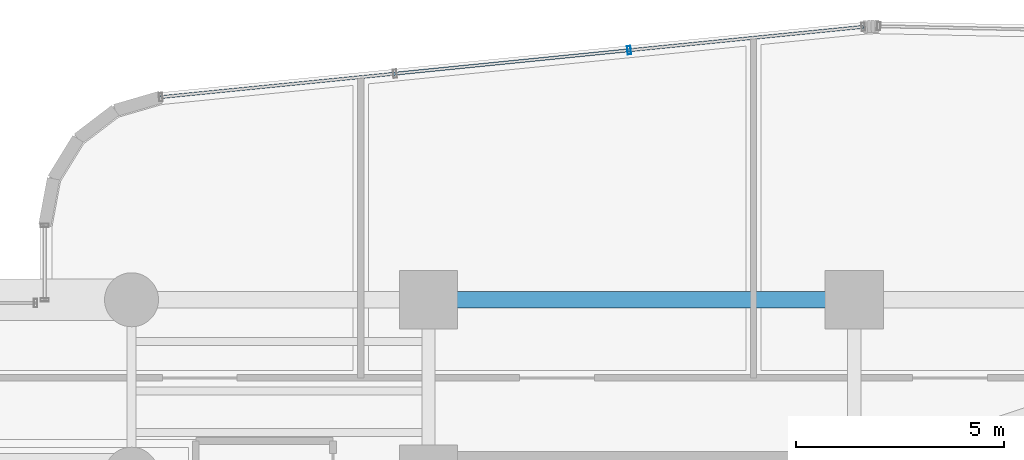
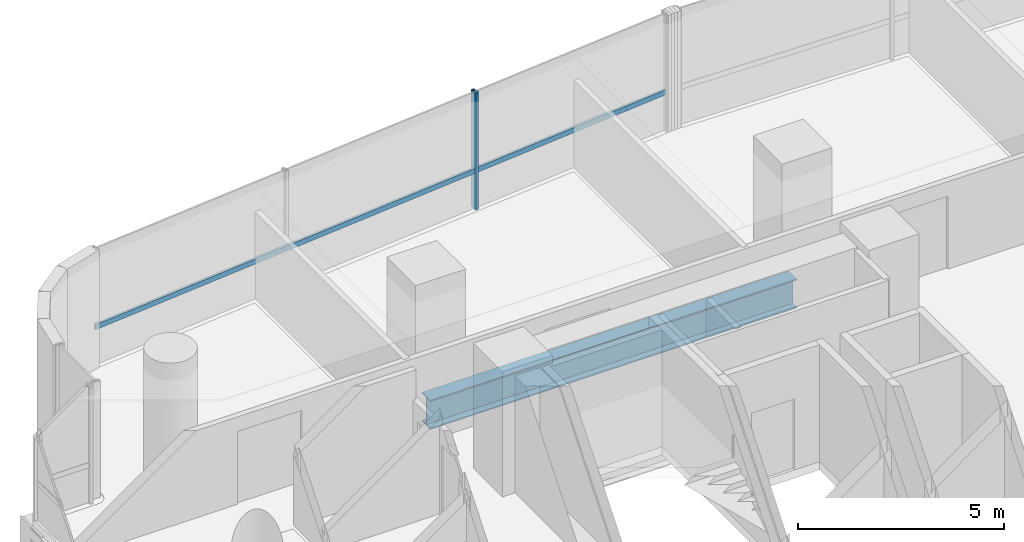
# One storey, part 20 of 40: 2 members, 1 beam, 1 element without a shape of its own.
"""IFC4 building model written with IfcOpenShell, lengths in metres."""

from ifc_helpers import new_model, si_unit, direction, frame, origin, origin_2d, place, context, subcontext, project, spatial, hollow_rectangle, i_section, extrude, source, transform, mapped, material, material_profile, profile_set, type_object, element, aggregate, save


model = new_model("IFC4")

# Units and contexts
model_context = context("Model", 3, precision=1e-05, world=origin(), true_north=direction((0.0, 1.0)))
body_context = subcontext(model_context, "Body", "Model", "MODEL_VIEW")
ifc_project = project(units=[si_unit("LENGTHUNIT", "METRE"), si_unit("AREAUNIT", "SQUARE_METRE"), si_unit("VOLUMEUNIT", "CUBIC_METRE"), si_unit("PLANEANGLEUNIT", "RADIAN"), si_unit("MASSUNIT", "GRAM", prefix="KILO")], contexts=[model_context])

# Site, building, storey
site_placement = place(None, origin())
site = spatial("IfcSite", under=ifc_project, at=site_placement, CompositionType="ELEMENT")
building_placement = place(site_placement, origin())
building = spatial("IfcBuilding", under=site, at=building_placement, Name="Valdorenza Pilgrim Sanctuary Tower", CompositionType="ELEMENT")
storey_placement = place(building_placement, frame((0.0, 0.0, 81.5)))
storey = spatial("IfcBuildingStorey", under=building, at=storey_placement, Name="L20", CompositionType="ELEMENT", Elevation=81.5)

# Beam
ifc_material_1 = material(Name="Steel ASTM A992 Grade 50", Category="steel")
ifc_material_profile_1 = material_profile(ifc_material_1, i_section(OverallWidth=0.39990234375, OverallDepth=0.862060546875, WebThickness=0.019775390625, FlangeThickness=0.032470703125, at=origin_2d()), Name="W33X221")
ifc_profile_set_1 = profile_set([ifc_material_profile_1], Name="Steel ASTM A992 Grade 50")
beam_type = type_object("IfcBeamType", Name="STR-BM-GRD-W33", PredefinedType="BEAM", material=ifc_profile_set_1)
shared_shape_1 = source(origin(), body_context, "Body", "SweptSolid", [
    extrude(i_section(OverallWidth=0.39990234375, OverallDepth=0.862060546875, WebThickness=0.019775390625, FlangeThickness=0.032470703125, at=origin_2d()), origin(), (0.0, 0.0, 1.0), 10.25),
])
beam_placement = place(storey_placement, frame((-22.64990234375, 14.800048828125, -0.6708984375), z_axis=(1.0, 0.0, 0.0), x_axis=(0.0, 1.0, 0.0)))
element("IfcBeam", 1, at=beam_placement, inside=storey, type_object=beam_type, Name="L20 Floor Girder CA-XC-N2", PredefinedType="BEAM", context=body_context, shape_type="MappedRepresentation", body=[
    mapped(shared_shape_1, transform((0.0, 0.0, 0.0), x_axis=(1.0, 0.0, 0.0), y_axis=(0.0, 1.0, 0.0), z_axis=(0.0, 0.0, 1.0), scale=1.0)),
])

# Curtain wall, members
ifc_material_2 = material(Name="Curtain-wall IGU glazing", Category="glass")
curtain_wall_type = type_object("IfcCurtainWallType", Name="CW-SYS-02", PredefinedType="NOTDEFINED", material=ifc_material_2)
curtain_wall_placement = place(storey_placement, origin())
curtain_wall = element("IfcCurtainWall", 2, at=curtain_wall_placement, inside=storey, type_object=curtain_wall_type, Name="L20 Curtain Wall CW-L20-1-6", PredefinedType="NOTDEFINED")
ifc_material_3 = material(Name="Anodised aluminium AW-6060", Category="aluminium")
ifc_material_profile_2 = material_profile(ifc_material_3, hollow_rectangle(XDim=0.0849609375, YDim=0.199951171875, WallThickness=0.0048828125, at=origin_2d()), Name="ALU-M 200x85x5")
ifc_profile_set_2 = profile_set([ifc_material_profile_2], Name="Anodised aluminium AW-6060")
member_type_1 = type_object("IfcMemberType", Name="CW-MUL-02", PredefinedType="MULLION", material=ifc_profile_set_2)
shared_shape_2 = source(origin(), body_context, "Body", "SweptSolid", [
    extrude(hollow_rectangle(XDim=0.0849609375, YDim=0.199951171875, WallThickness=0.0048828125, at=origin_2d()), origin(), (0.0, 0.0, 1.0), 3.4599609375),
])
member_1_placement = place(storey_placement, frame((-17.820556640625, 20.8076171875, 0.0), z_axis=(0.0, 0.0, 1.0), x_axis=(0.995038220239, 0.099493418189, 0.0)))
member_1 = element("IfcMember", 3, at=member_1_placement, type_object=member_type_1, Name="CW-L20-1-6 Mullion 3", PredefinedType="MULLION", context=body_context, shape_type="MappedRepresentation", body=[
    mapped(shared_shape_2, transform((0.0, 0.0, 0.0), x_axis=(1.0, 0.0, 0.0), y_axis=(0.0, 1.0, 0.0), z_axis=(0.0, 0.0, 1.0), scale=1.0)),
])
ifc_material_profile_3 = material_profile(ifc_material_3, hollow_rectangle(XDim=0.074951171875, YDim=0.14990234375, WallThickness=0.00390625, at=origin_2d()), Name="ALU-T 150x75x4")
ifc_profile_set_3 = profile_set([ifc_material_profile_3], Name="Anodised aluminium AW-6060")
member_type_2 = type_object("IfcMemberType", Name="CW-TRN-02", PredefinedType="USERDEFINED", material=ifc_profile_set_3)
shared_shape_3 = source(origin(), body_context, "Body", "SweptSolid", [
    extrude(hollow_rectangle(XDim=0.074951171875, YDim=0.14990234375, WallThickness=0.00390625, at=origin_2d()), origin(), (0.0, 0.0, 1.0), 17.0),
])
member_2_placement = place(storey_placement, frame((-29.097412109375, 19.6796875, 1.1201171875), z_axis=(0.99503662143, 0.099509406661, 0.0), x_axis=(-0.099509406661, 0.99503662143, 0.0)))
member_2 = element("IfcMember", 4, at=member_2_placement, type_object=member_type_2, Name="CW-L20-1-6 Transom 1", ObjectType="TRANSOM", PredefinedType="USERDEFINED", context=body_context, shape_type="MappedRepresentation", body=[
    mapped(shared_shape_3, transform((0.0, 0.0, 0.0), x_axis=(1.0, 0.0, 0.0), y_axis=(0.0, 1.0, 0.0), z_axis=(0.0, 0.0, 1.0), scale=1.0)),
])
aggregate(curtain_wall, [member_1, member_2])

save(model, "model.ifc")
